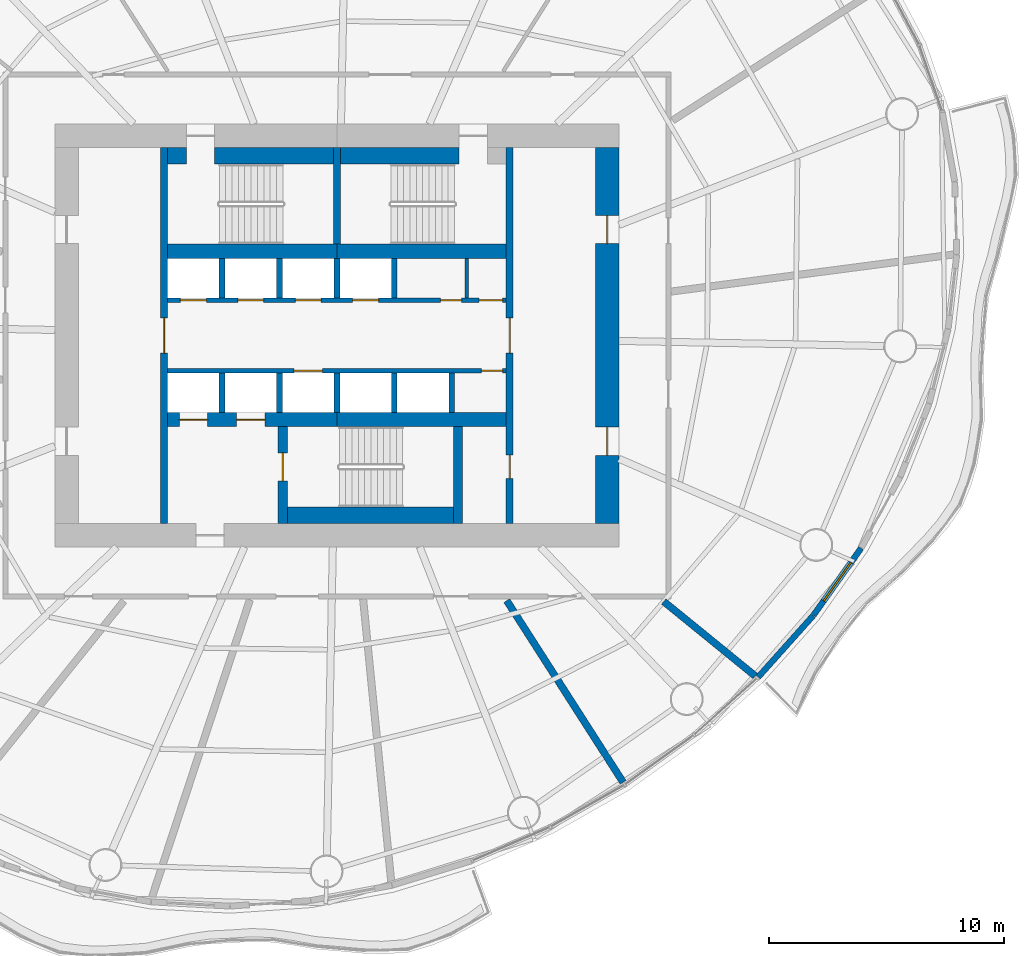
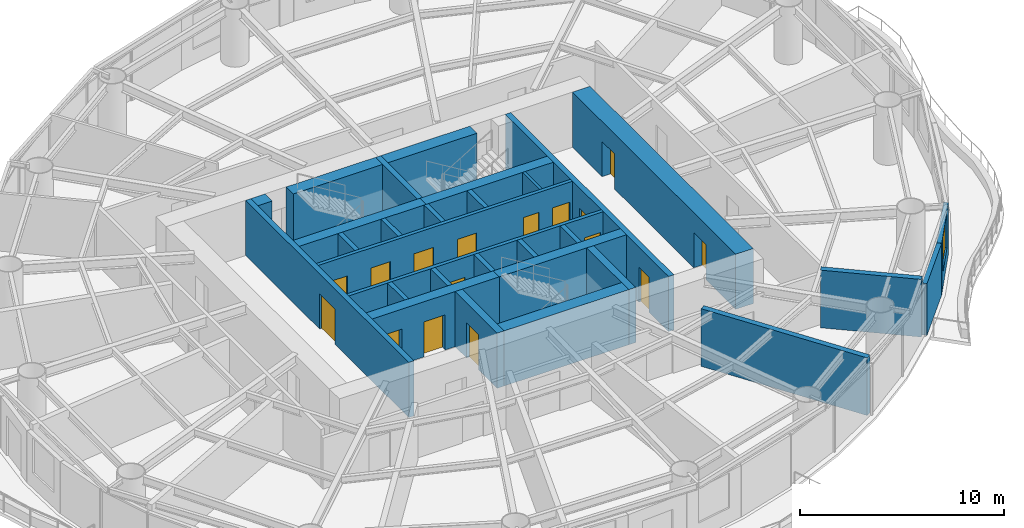
# One storey, part 9 of 14: 30 walls, 16 doors, 1 window, 17 openings.
"""IFC4 building model written with IfcOpenShell, lengths in metres."""

from ifc_helpers import new_model, si_unit, direction, frame, frame_2d, origin, place, context, subcontext, project, spatial, rectangle, extrude, material, layer, layer_set, type_object, element, fill, save


model = new_model("IFC4")

# Units and contexts
model_context = context("Model", 3, precision=1e-05, world=origin(), true_north=direction((0.0, 1.0)))
body_context = subcontext(model_context, "Body", "Model", "MODEL_VIEW")
ifc_project = project(units=[si_unit("LENGTHUNIT", "METRE"), si_unit("AREAUNIT", "SQUARE_METRE"), si_unit("VOLUMEUNIT", "CUBIC_METRE"), si_unit("PLANEANGLEUNIT", "RADIAN"), si_unit("MASSUNIT", "GRAM", prefix="KILO")], contexts=[model_context])

# Site, building, storey
site_placement = place(None, origin())
site = spatial("IfcSite", under=ifc_project, at=site_placement, CompositionType="ELEMENT")
building_placement = place(site_placement, origin())
building = spatial("IfcBuilding", under=site, at=building_placement, Name="Vermilion Reach Broadcast Tower", CompositionType="ELEMENT")
storey_placement = place(building_placement, frame((0.0, 0.0, 165.0)))
storey = spatial("IfcBuildingStorey", under=building, at=storey_placement, Name="L39", CompositionType="ELEMENT", Elevation=165.0)

# Wall, opening, door
ifc_material_1 = material(Name="Concrete C70", Category="concrete")
ifc_layer_1 = layer(ifc_material_1, 0.300048828125)
ifc_layer_set_1 = layer_set([ifc_layer_1], Name="Core inner wall 300 mm Concrete C70")
wall_type_1 = type_object("IfcWallType", Name="Core inner wall 300 mm Concrete C70", PredefinedType="SHEAR", material=ifc_layer_set_1)
wall_1_placement = place(storey_placement, frame((-13.35009765625, 8.0, 0.0), z_axis=(0.0, 0.0, 1.0), x_axis=(0.0, -1.0, 0.0)))
wall_1 = element("IfcWall", 1, at=wall_1_placement, inside=storey, type_object=wall_type_1, Name="L39 core wall ewW", PredefinedType="SHEAR", context=body_context, shape_type="SweptSolid", body=[
    extrude(rectangle(XDim=16.0, YDim=0.300048828125, at=frame_2d((8.0, 0.0))), origin(), (0.0, 0.0, 1.0), 3.300048828125),
])
opening_1_placement = place(wall_1_placement, frame((7.25, 0.0, 0.0)))
opening_1 = element("IfcOpeningElement", 2, at=opening_1_placement, cuts=wall_1, Name="Opening D04", PredefinedType="OPENING", context=body_context, shape_type="SweptSolid", body=[
    extrude(rectangle(XDim=1.5, YDim=2.10009765625, at=frame_2d((0.75, 1.050048828125))), frame((0.0, 0.159912109375, 0.0), z_axis=(0.0, -1.0, 0.0), x_axis=(1.0, 0.0, 0.0)), (0.0, 0.0, 1.0), 0.320068359375),
])
ifc_material_2 = material(Name="Painted steel fire door", Category="steel")
door_type_1 = type_object("IfcDoorType", Name="Lift lobby door 1500 x 2100", OperationType="DOUBLE_DOOR_SINGLE_SWING", PredefinedType="NOTDEFINED", material=ifc_material_2)
door_1_placement = place(opening_1_placement, origin())
door_1 = element("IfcDoor", 3, at=door_1_placement, inside=storey, type_object=door_type_1, Name="L39 band door BW", OperationType="DOUBLE_DOOR_SINGLE_SWING", OverallHeight=2.10009765625, OverallWidth=1.5, PredefinedType="NOTDEFINED", context=body_context, shape_type="SweptSolid", body=[
    extrude(rectangle(XDim=1.5, YDim=2.10009765625, at=frame_2d((0.75, 1.050048828125))), frame((0.0, 0.02490234375, 0.0), z_axis=(0.0, -1.0, 0.0), x_axis=(1.0, 0.0, 0.0)), (0.0, 0.0, 1.0), 0.050048828125),
])
fill(opening_1, door_1)

# Wall, openings, doors
wall_2_placement = place(storey_placement, frame((1.35009765625, -8.0, 0.0), z_axis=(0.0, 0.0, 1.0), x_axis=(0.0, 1.0, 0.0)))
wall_2 = element("IfcWall", 4, at=wall_2_placement, inside=storey, type_object=wall_type_1, Name="L39 core wall ewE", PredefinedType="SHEAR", context=body_context, shape_type="SweptSolid", body=[
    extrude(rectangle(XDim=16.0, YDim=0.300048828125, at=frame_2d((8.0, 0.0))), origin(), (0.0, 0.0, 1.0), 3.300048828125),
])
opening_2_placement = place(wall_2_placement, frame((1.909912109375, 0.0, 0.0)))
opening_2 = element("IfcOpeningElement", 5, at=opening_2_placement, cuts=wall_2, Name="Opening D05", PredefinedType="OPENING", context=body_context, shape_type="SweptSolid", body=[
    extrude(rectangle(XDim=1.0, YDim=2.10009765625, at=frame_2d((0.5, 1.050048828125))), frame((0.0, 0.159912109375, 0.0), z_axis=(0.0, -1.0, 0.0), x_axis=(1.0, 0.0, 0.0)), (0.0, 0.0, 1.0), 0.320068359375),
])
opening_3_placement = place(wall_2_placement, frame((7.25, 0.0, 0.0)))
opening_3 = element("IfcOpeningElement", 6, at=opening_3_placement, cuts=wall_2, Name="Opening D04", PredefinedType="OPENING", context=body_context, shape_type="SweptSolid", body=[
    extrude(rectangle(XDim=1.5, YDim=2.10009765625, at=frame_2d((0.75, 1.050048828125))), frame((0.0, 0.159912109375, 0.0), z_axis=(0.0, -1.0, 0.0), x_axis=(1.0, 0.0, 0.0)), (0.0, 0.0, 1.0), 0.320068359375),
])
door_2_placement = place(opening_3_placement, origin())
door_2 = element("IfcDoor", 7, at=door_2_placement, inside=storey, type_object=door_type_1, Name="L39 band door BE", OperationType="DOUBLE_DOOR_SINGLE_SWING", OverallHeight=2.10009765625, OverallWidth=1.5, PredefinedType="NOTDEFINED", context=body_context, shape_type="SweptSolid", body=[
    extrude(rectangle(XDim=1.5, YDim=2.10009765625, at=frame_2d((0.75, 1.050048828125))), frame((0.0, 0.02490234375, 0.0), z_axis=(0.0, -1.0, 0.0), x_axis=(1.0, 0.0, 0.0)), (0.0, 0.0, 1.0), 0.050048828125),
])
fill(opening_3, door_2)
ifc_material_3 = material(Name="Timber door", Category="wood")
door_type_2 = type_object("IfcDoorType", Name="Room door 1000 x 2100", OperationType="NOTDEFINED", PredefinedType="NOTDEFINED", material=ifc_material_3)
door_3_placement = place(opening_2_placement, origin())
door_3 = element("IfcDoor", 8, at=door_3_placement, inside=storey, type_object=door_type_2, Name="L39 door SER", OperationType="SINGLE_SWING_LEFT", OverallHeight=2.10009765625, OverallWidth=1.0, PredefinedType="NOTDEFINED", context=body_context, shape_type="SweptSolid", body=[
    extrude(rectangle(XDim=1.0, YDim=2.10009765625, at=frame_2d((0.5, 1.050048828125))), frame((0.0, 0.02490234375, 0.0), z_axis=(0.0, -1.0, 0.0), x_axis=(1.0, 0.0, 0.0)), (0.0, 0.0, 1.0), 0.050048828125),
])
fill(opening_2, door_3)

# Wall
wall_3_placement = place(storey_placement, frame((-6.0, 3.8798828125, 0.0), z_axis=(0.0, 0.0, 1.0), x_axis=(0.0, 1.0, 0.0)))
element("IfcWall", 9, at=wall_3_placement, inside=storey, type_object=wall_type_1, Name="L39 core wall wc", PredefinedType="SHEAR", context=body_context, shape_type="SweptSolid", body=[
    extrude(rectangle(XDim=4.1201171875, YDim=0.300048828125, at=frame_2d((2.06005859375, 0.0))), origin(), (0.0, 0.0, 1.0), 3.300048828125),
])

# Wall, opening, door
ifc_material_4 = material(Name="Concrete C70", Category="concrete")
ifc_layer_2 = layer(ifc_material_4, 0.39990234375)
ifc_layer_set_2 = layer_set([ifc_layer_2], Name="Core inner wall 400 mm Concrete C70")
wall_type_2 = type_object("IfcWallType", Name="Core inner wall 400 mm Concrete C70", PredefinedType="SHEAR", material=ifc_layer_set_2)
wall_4_placement = place(storey_placement, frame((-8.300048828125, -3.8798828125, 0.0), z_axis=(0.0, 0.0, 1.0), x_axis=(0.0, -1.0, 0.0)))
wall_4 = element("IfcWall", 10, at=wall_4_placement, inside=storey, type_object=wall_type_2, Name="L39 core wall wa", PredefinedType="SHEAR", context=body_context, shape_type="SweptSolid", body=[
    extrude(rectangle(XDim=4.1201171875, YDim=0.39990234375, at=frame_2d((2.06005859375, 0.0))), origin(), (0.0, 0.0, 1.0), 3.300048828125),
])
opening_4_placement = place(wall_4_placement, frame((1.110107421875, 0.0, 0.0)))
opening_4 = element("IfcOpeningElement", 11, at=opening_4_placement, cuts=wall_4, Name="Opening D01", PredefinedType="OPENING", context=body_context, shape_type="SweptSolid", body=[
    extrude(rectangle(XDim=1.199951171875, YDim=2.10009765625, at=frame_2d((0.60009765625, 1.050048828125))), frame((0.0, 0.2099609375, 0.0), z_axis=(0.0, -1.0, 0.0), x_axis=(1.0, 0.0, 0.0)), (0.0, 0.0, 1.0), 0.419921875),
])
ifc_material_5 = material(Name="Painted steel fire door", Category="steel")
door_type_3 = type_object("IfcDoorType", Name="Stair door 1200 x 2100", OperationType="DOUBLE_DOOR_SINGLE_SWING", PredefinedType="NOTDEFINED", material=ifc_material_5)
door_4_placement = place(opening_4_placement, origin())
door_4 = element("IfcDoor", 12, at=door_4_placement, inside=storey, type_object=door_type_3, Name="L39 stair door ST3", OperationType="DOUBLE_DOOR_SINGLE_SWING", OverallHeight=2.10009765625, OverallWidth=1.199951171875, PredefinedType="NOTDEFINED", context=body_context, shape_type="SweptSolid", body=[
    extrude(rectangle(XDim=1.199951171875, YDim=2.10009765625, at=frame_2d((0.60009765625, 1.050048828125))), frame((0.0, 0.02490234375, 0.0), z_axis=(0.0, -1.0, 0.0), x_axis=(1.0, 0.0, 0.0)), (0.0, 0.0, 1.0), 0.050048828125),
])
fill(opening_4, door_4)

# Walls
wall_5_placement = place(storey_placement, frame((-0.85009765625, -3.8798828125, 0.0), z_axis=(0.0, 0.0, 1.0), x_axis=(0.0, -1.0, 0.0)))
element("IfcWall", 13, at=wall_5_placement, inside=storey, type_object=wall_type_2, Name="L39 core wall wb", PredefinedType="SHEAR", context=body_context, shape_type="SweptSolid", body=[
    extrude(rectangle(XDim=4.1201171875, YDim=0.39990234375, at=frame_2d((2.06005859375, 0.0))), origin(), (0.0, 0.0, 1.0), 3.300048828125),
])
ifc_material_6 = material(Name="Concrete C70", Category="concrete")
ifc_layer_3 = layer(ifc_material_6, 0.60009765625)
ifc_layer_set_3 = layer_set([ifc_layer_3], Name="Core inner wall 600 mm Concrete C70")
wall_type_3 = type_object("IfcWallType", Name="Core inner wall 600 mm Concrete C70", PredefinedType="SHEAR", material=ifc_layer_set_3)
for number, where, z_axis, x_axis, name in (
    (14, (-13.199951171875, 3.580078125, 0.0), (0.0, 0.0, 1.0), (1.0, 0.0, 0.0), "L39 core wall winW"),
    (15, (-6.0, 3.580078125, 0.0), (0.0, 0.0, 1.0), (1.0, 0.0, 0.0), "L39 core wall winE"),
):
    element("IfcWall", number, at=place(storey_placement, frame(where, z_axis=z_axis, x_axis=x_axis)), inside=storey, type_object=wall_type_3, Name=name, PredefinedType="SHEAR", context=body_context, shape_type="SweptSolid", body=[
        extrude(rectangle(XDim=7.199951171875, YDim=0.60009765625, at=frame_2d((3.60009765625, 0.0))), origin(), (0.0, 0.0, 1.0), 3.300048828125),
    ])

# Wall, openings, doors
wall_6_placement = place(storey_placement, frame((-13.199951171875, -3.580078125, 0.0), z_axis=(0.0, 0.0, 1.0), x_axis=(1.0, 0.0, 0.0)))
wall_6 = element("IfcWall", 16, at=wall_6_placement, inside=storey, type_object=wall_type_3, Name="L39 core wall wisW", PredefinedType="SHEAR", context=body_context, shape_type="SweptSolid", body=[
    extrude(rectangle(XDim=7.199951171875, YDim=0.60009765625, at=frame_2d((3.60009765625, 0.0))), origin(), (0.0, 0.0, 1.0), 3.300048828125),
])
opening_5_placement = place(wall_6_placement, frame((0.495849609375, 0.0, 0.0)))
opening_5 = element("IfcOpeningElement", 17, at=opening_5_placement, cuts=wall_6, Name="Opening LD1", PredefinedType="OPENING", context=body_context, shape_type="SweptSolid", body=[
    extrude(rectangle(XDim=1.199951171875, YDim=2.10009765625, at=frame_2d((0.60009765625, 1.050048828125))), frame((0.0, 0.31005859375, 0.0), z_axis=(0.0, -1.0, 0.0), x_axis=(1.0, 0.0, 0.0)), (0.0, 0.0, 1.0), 0.6201171875),
])
opening_6_placement = place(wall_6_placement, frame((2.9375, 0.0, 0.0)))
opening_6 = element("IfcOpeningElement", 18, at=opening_6_placement, cuts=wall_6, Name="Opening LD1", PredefinedType="OPENING", context=body_context, shape_type="SweptSolid", body=[
    extrude(rectangle(XDim=1.199951171875, YDim=2.10009765625, at=frame_2d((0.60009765625, 1.050048828125))), frame((0.0, 0.31005859375, 0.0), z_axis=(0.0, -1.0, 0.0), x_axis=(1.0, 0.0, 0.0)), (0.0, 0.0, 1.0), 0.6201171875),
])
ifc_material_7 = material(Name="Stainless steel", Category="steel")
door_type_4 = type_object("IfcDoorType", Name="Landing door 1200 x 2100", OperationType="DOUBLE_DOOR_SLIDING", PredefinedType="NOTDEFINED", material=ifc_material_7)
door_5_placement = place(opening_5_placement, origin())
door_5 = element("IfcDoor", 19, at=door_5_placement, inside=storey, type_object=door_type_4, Name="L39 landing door FF1", OperationType="DOUBLE_DOOR_SLIDING", OverallHeight=2.10009765625, OverallWidth=1.199951171875, PredefinedType="NOTDEFINED", context=body_context, shape_type="SweptSolid", body=[
    extrude(rectangle(XDim=1.199951171875, YDim=2.10009765625, at=frame_2d((0.60009765625, 1.050048828125))), frame((0.0, 0.02490234375, 0.0), z_axis=(0.0, -1.0, 0.0), x_axis=(1.0, 0.0, 0.0)), (0.0, 0.0, 1.0), 0.050048828125),
])
fill(opening_5, door_5)
door_6_placement = place(opening_6_placement, origin())
door_6 = element("IfcDoor", 20, at=door_6_placement, inside=storey, type_object=door_type_4, Name="L39 landing door FF2", OperationType="DOUBLE_DOOR_SLIDING", OverallHeight=2.10009765625, OverallWidth=1.199951171875, PredefinedType="NOTDEFINED", context=body_context, shape_type="SweptSolid", body=[
    extrude(rectangle(XDim=1.199951171875, YDim=2.10009765625, at=frame_2d((0.60009765625, 1.050048828125))), frame((0.0, 0.02490234375, 0.0), z_axis=(0.0, -1.0, 0.0), x_axis=(1.0, 0.0, 0.0)), (0.0, 0.0, 1.0), 0.050048828125),
])
fill(opening_6, door_6)

# Wall
wall_7_placement = place(storey_placement, frame((-6.0, -3.580078125, 0.0), z_axis=(0.0, 0.0, 1.0), x_axis=(1.0, 0.0, 0.0)))
element("IfcWall", 21, at=wall_7_placement, inside=storey, type_object=wall_type_3, Name="L39 core wall wisE", PredefinedType="SHEAR", context=body_context, shape_type="SweptSolid", body=[
    extrude(rectangle(XDim=7.199951171875, YDim=0.60009765625, at=frame_2d((3.60009765625, 0.0))), origin(), (0.0, 0.0, 1.0), 3.300048828125),
])

# Wall, openings, doors
ifc_material_8 = material(Name="Concrete C70", Category="concrete")
ifc_layer_4 = layer(ifc_material_8, 1.0)
ifc_layer_set_4 = layer_set([ifc_layer_4], Name="Core outer wall 1000 mm Concrete C70")
wall_type_4 = type_object("IfcWallType", Name="Core outer wall 1000 mm Concrete C70", PredefinedType="SHEAR", material=ifc_layer_set_4)
wall_8_placement = place(storey_placement, frame((5.5, -8.0, 0.0), z_axis=(0.0, 0.0, 1.0), x_axis=(0.0, 1.0, 0.0)))
wall_8 = element("IfcWall", 22, at=wall_8_placement, inside=storey, type_object=wall_type_4, Name="L39 core wall oe", PredefinedType="SHEAR", context=body_context, shape_type="SweptSolid", body=[
    extrude(rectangle(XDim=16.0, YDim=1.0, at=frame_2d((8.0, 0.0))), origin(), (0.0, 0.0, 1.0), 3.300048828125),
])
opening_7_placement = place(wall_8_placement, frame((2.89990234375, 0.0, 0.0)))
opening_7 = element("IfcOpeningElement", 23, at=opening_7_placement, cuts=wall_8, Name="Opening D03", PredefinedType="OPENING", context=body_context, shape_type="SweptSolid", body=[
    extrude(rectangle(XDim=1.199951171875, YDim=2.10009765625, at=frame_2d((0.60009765625, 1.050048828125))), frame((0.0, 0.510009765625, 0.0), z_axis=(0.0, -1.0, 0.0), x_axis=(1.0, 0.0, 0.0)), (0.0, 0.0, 1.0), 1.02001953125),
])
opening_8_placement = place(wall_8_placement, frame((11.89990234375, 0.0, 0.0)))
opening_8 = element("IfcOpeningElement", 24, at=opening_8_placement, cuts=wall_8, Name="Opening D03", PredefinedType="OPENING", context=body_context, shape_type="SweptSolid", body=[
    extrude(rectangle(XDim=1.199951171875, YDim=2.10009765625, at=frame_2d((0.60009765625, 1.050048828125))), frame((0.0, 0.510009765625, 0.0), z_axis=(0.0, -1.0, 0.0), x_axis=(1.0, 0.0, 0.0)), (0.0, 0.0, 1.0), 1.02001953125),
])
ifc_material_9 = material(Name="Painted steel fire door", Category="steel")
door_type_5 = type_object("IfcDoorType", Name="Core lobby door 1200 x 2100", OperationType="DOUBLE_DOOR_SINGLE_SWING", PredefinedType="NOTDEFINED", material=ifc_material_9)
door_7_placement = place(opening_7_placement, origin())
door_7 = element("IfcDoor", 25, at=door_7_placement, inside=storey, type_object=door_type_5, Name="L39 slot door E0", OperationType="DOUBLE_DOOR_SINGLE_SWING", OverallHeight=2.10009765625, OverallWidth=1.199951171875, PredefinedType="NOTDEFINED", context=body_context, shape_type="SweptSolid", body=[
    extrude(rectangle(XDim=1.199951171875, YDim=2.10009765625, at=frame_2d((0.60009765625, 1.050048828125))), frame((0.0, 0.02490234375, 0.0), z_axis=(0.0, -1.0, 0.0), x_axis=(1.0, 0.0, 0.0)), (0.0, 0.0, 1.0), 0.050048828125),
])
fill(opening_7, door_7)
door_8_placement = place(opening_8_placement, origin())
door_8 = element("IfcDoor", 26, at=door_8_placement, inside=storey, type_object=door_type_5, Name="L39 slot door E1", OperationType="DOUBLE_DOOR_SINGLE_SWING", OverallHeight=2.10009765625, OverallWidth=1.199951171875, PredefinedType="NOTDEFINED", context=body_context, shape_type="SweptSolid", body=[
    extrude(rectangle(XDim=1.199951171875, YDim=2.10009765625, at=frame_2d((0.60009765625, 1.050048828125))), frame((0.0, 0.02490234375, 0.0), z_axis=(0.0, -1.0, 0.0), x_axis=(1.0, 0.0, 0.0)), (0.0, 0.0, 1.0), 0.050048828125),
])
fill(opening_8, door_8)

# Wall
ifc_material_10 = material(Name="Masonry block", Category="masonry")
ifc_layer_5 = layer(ifc_material_10, 0.14990234375)
ifc_layer_set_5 = layer_set([ifc_layer_5], Name="Core partition wall 150 mm Masonry block")
wall_type_5 = type_object("IfcWallType", Name="Core partition wall 150 mm Masonry block", PredefinedType="PARTITIONING", material=ifc_layer_set_5)
wall_9_placement = place(storey_placement, frame((-0.468017578125, 1.60009765625, 0.0), z_axis=(0.0, 0.0, 1.0), x_axis=(0.0, 1.0, 0.0)))
element("IfcWall", 27, at=wall_9_placement, inside=storey, type_object=wall_type_5, Name="L39 core wall prN5532", PredefinedType="PARTITIONING", context=body_context, shape_type="SweptSolid", body=[
    extrude(rectangle(XDim=1.679931640625, YDim=0.14990234375, at=frame_2d((0.83984375, 0.0))), origin(), (0.0, 0.0, 1.0), 3.300048828125),
])

# Wall, openings, doors
ifc_material_11 = material(Name="Concrete C50", Category="concrete")
ifc_layer_6 = layer(ifc_material_11, 0.199951171875)
ifc_layer_set_6 = layer_set([ifc_layer_6], Name="Core shaft wall 200 mm Concrete C50")
wall_type_6 = type_object("IfcWallType", Name="Core shaft wall 200 mm Concrete C50", PredefinedType="SHEAR", material=ifc_layer_set_6)
wall_10_placement = place(storey_placement, frame((-13.199951171875, 1.5, 0.0), z_axis=(0.0, 0.0, 1.0), x_axis=(1.0, 0.0, 0.0)))
wall_10 = element("IfcWall", 28, at=wall_10_placement, inside=storey, type_object=wall_type_6, Name="L39 core wall fn", PredefinedType="SHEAR", context=body_context, shape_type="SweptSolid", body=[
    extrude(rectangle(XDim=14.39990234375, YDim=0.199951171875, at=frame_2d((7.199951171875, 0.0))), origin(), (0.0, 0.0, 1.0), 3.300048828125),
])
opening_9_placement = place(wall_10_placement, frame((0.5458984375, 0.0, 0.0)))
opening_9 = element("IfcOpeningElement", 29, at=opening_9_placement, cuts=wall_10, Name="Opening LD2", PredefinedType="OPENING", context=body_context, shape_type="SweptSolid", body=[
    extrude(rectangle(XDim=1.10009765625, YDim=2.10009765625, at=frame_2d((0.550048828125, 1.050048828125))), frame((0.0, 0.10986328125, 0.0), z_axis=(0.0, -1.0, 0.0), x_axis=(1.0, 0.0, 0.0)), (0.0, 0.0, 1.0), 0.219970703125),
])
opening_10_placement = place(wall_10_placement, frame((2.987548828125, 0.0, 0.0)))
opening_10 = element("IfcOpeningElement", 30, at=opening_10_placement, cuts=wall_10, Name="Opening LD2", PredefinedType="OPENING", context=body_context, shape_type="SweptSolid", body=[
    extrude(rectangle(XDim=1.10009765625, YDim=2.10009765625, at=frame_2d((0.550048828125, 1.050048828125))), frame((0.0, 0.10986328125, 0.0), z_axis=(0.0, -1.0, 0.0), x_axis=(1.0, 0.0, 0.0)), (0.0, 0.0, 1.0), 0.219970703125),
])
opening_11_placement = place(wall_10_placement, frame((5.42919921875, 0.0, 0.0)))
opening_11 = element("IfcOpeningElement", 31, at=opening_11_placement, cuts=wall_10, Name="Opening LD2", PredefinedType="OPENING", context=body_context, shape_type="SweptSolid", body=[
    extrude(rectangle(XDim=1.10009765625, YDim=2.10009765625, at=frame_2d((0.550048828125, 1.050048828125))), frame((0.0, 0.10986328125, 0.0), z_axis=(0.0, -1.0, 0.0), x_axis=(1.0, 0.0, 0.0)), (0.0, 0.0, 1.0), 0.219970703125),
])
opening_12_placement = place(wall_10_placement, frame((7.870849609375, 0.0, 0.0)))
opening_12 = element("IfcOpeningElement", 32, at=opening_12_placement, cuts=wall_10, Name="Opening LD2", PredefinedType="OPENING", context=body_context, shape_type="SweptSolid", body=[
    extrude(rectangle(XDim=1.10009765625, YDim=2.10009765625, at=frame_2d((0.550048828125, 1.050048828125))), frame((0.0, 0.10986328125, 0.0), z_axis=(0.0, -1.0, 0.0), x_axis=(1.0, 0.0, 0.0)), (0.0, 0.0, 1.0), 0.219970703125),
])
opening_13_placement = place(wall_10_placement, frame((11.60693359375, 0.0, 0.0)))
opening_13 = element("IfcOpeningElement", 33, at=opening_13_placement, cuts=wall_10, Name="Opening D06", PredefinedType="OPENING", context=body_context, shape_type="SweptSolid", body=[
    extrude(rectangle(XDim=0.89990234375, YDim=2.10009765625, at=frame_2d((0.449951171875, 1.050048828125))), frame((0.0, 0.10986328125, 0.0), z_axis=(0.0, -1.0, 0.0), x_axis=(1.0, 0.0, 0.0)), (0.0, 0.0, 1.0), 0.219970703125),
])
opening_14_placement = place(wall_10_placement, frame((13.25, 0.0, 0.0)))
opening_14 = element("IfcOpeningElement", 34, at=opening_14_placement, cuts=wall_10, Name="Opening D07", PredefinedType="OPENING", context=body_context, shape_type="SweptSolid", body=[
    extrude(rectangle(XDim=1.0, YDim=2.10009765625, at=frame_2d((0.5, 1.050048828125))), frame((0.0, 0.10986328125, 0.0), z_axis=(0.0, -1.0, 0.0), x_axis=(1.0, 0.0, 0.0)), (0.0, 0.0, 1.0), 0.219970703125),
])
ifc_material_12 = material(Name="Timber door", Category="wood")
door_type_6 = type_object("IfcDoorType", Name="Accessible WC door 1000 x 2100", OperationType="NOTDEFINED", PredefinedType="NOTDEFINED", material=ifc_material_12)
door_9_placement = place(opening_14_placement, origin())
door_9 = element("IfcDoor", 35, at=door_9_placement, inside=storey, type_object=door_type_6, Name="L39 door Accessible WC", OperationType="SINGLE_SWING_RIGHT", OverallHeight=2.10009765625, OverallWidth=1.0, PredefinedType="NOTDEFINED", context=body_context, shape_type="SweptSolid", body=[
    extrude(rectangle(XDim=1.0, YDim=2.10009765625, at=frame_2d((0.5, 1.050048828125))), frame((0.0, 0.02490234375, 0.0), z_axis=(0.0, -1.0, 0.0), x_axis=(1.0, 0.0, 0.0)), (0.0, 0.0, 1.0), 0.050048828125),
])
fill(opening_14, door_9)
ifc_material_13 = material(Name="Stainless steel", Category="steel")
door_type_7 = type_object("IfcDoorType", Name="Landing door 1100 x 2100", OperationType="DOUBLE_DOOR_SLIDING", PredefinedType="NOTDEFINED", material=ifc_material_13)
door_10_placement = place(opening_9_placement, origin())
door_10 = element("IfcDoor", 36, at=door_10_placement, inside=storey, type_object=door_type_7, Name="L39 landing door LR1", OperationType="DOUBLE_DOOR_SLIDING", OverallHeight=2.10009765625, OverallWidth=1.10009765625, PredefinedType="NOTDEFINED", context=body_context, shape_type="SweptSolid", body=[
    extrude(rectangle(XDim=1.10009765625, YDim=2.10009765625, at=frame_2d((0.550048828125, 1.050048828125))), frame((0.0, 0.02490234375, 0.0), z_axis=(0.0, -1.0, 0.0), x_axis=(1.0, 0.0, 0.0)), (0.0, 0.0, 1.0), 0.050048828125),
])
fill(opening_9, door_10)
door_11_placement = place(opening_10_placement, origin())
door_11 = element("IfcDoor", 37, at=door_11_placement, inside=storey, type_object=door_type_7, Name="L39 landing door LR2", OperationType="DOUBLE_DOOR_SLIDING", OverallHeight=2.10009765625, OverallWidth=1.10009765625, PredefinedType="NOTDEFINED", context=body_context, shape_type="SweptSolid", body=[
    extrude(rectangle(XDim=1.10009765625, YDim=2.10009765625, at=frame_2d((0.550048828125, 1.050048828125))), frame((0.0, 0.02490234375, 0.0), z_axis=(0.0, -1.0, 0.0), x_axis=(1.0, 0.0, 0.0)), (0.0, 0.0, 1.0), 0.050048828125),
])
fill(opening_10, door_11)
door_12_placement = place(opening_11_placement, origin())
door_12 = element("IfcDoor", 38, at=door_12_placement, inside=storey, type_object=door_type_7, Name="L39 landing door LR3", OperationType="DOUBLE_DOOR_SLIDING", OverallHeight=2.10009765625, OverallWidth=1.10009765625, PredefinedType="NOTDEFINED", context=body_context, shape_type="SweptSolid", body=[
    extrude(rectangle(XDim=1.10009765625, YDim=2.10009765625, at=frame_2d((0.550048828125, 1.050048828125))), frame((0.0, 0.02490234375, 0.0), z_axis=(0.0, -1.0, 0.0), x_axis=(1.0, 0.0, 0.0)), (0.0, 0.0, 1.0), 0.050048828125),
])
fill(opening_11, door_12)
door_13_placement = place(opening_12_placement, origin())
door_13 = element("IfcDoor", 39, at=door_13_placement, inside=storey, type_object=door_type_7, Name="L39 landing door LR4", OperationType="DOUBLE_DOOR_SLIDING", OverallHeight=2.10009765625, OverallWidth=1.10009765625, PredefinedType="NOTDEFINED", context=body_context, shape_type="SweptSolid", body=[
    extrude(rectangle(XDim=1.10009765625, YDim=2.10009765625, at=frame_2d((0.550048828125, 1.050048828125))), frame((0.0, 0.02490234375, 0.0), z_axis=(0.0, -1.0, 0.0), x_axis=(1.0, 0.0, 0.0)), (0.0, 0.0, 1.0), 0.050048828125),
])
fill(opening_12, door_13)
ifc_material_14 = material(Name="Timber door", Category="wood")
door_type_8 = type_object("IfcDoorType", Name="WC door 900 x 2100", OperationType="NOTDEFINED", PredefinedType="NOTDEFINED", material=ifc_material_14)
door_14_placement = place(opening_13_placement, origin())
door_14 = element("IfcDoor", 40, at=door_14_placement, inside=storey, type_object=door_type_8, Name="L39 door Female WC", OperationType="SINGLE_SWING_RIGHT", OverallHeight=2.10009765625, OverallWidth=0.89990234375, PredefinedType="NOTDEFINED", context=body_context, shape_type="SweptSolid", body=[
    extrude(rectangle(XDim=0.89990234375, YDim=2.10009765625, at=frame_2d((0.449951171875, 1.050048828125))), frame((0.0, 0.02490234375, 0.0), z_axis=(0.0, -1.0, 0.0), x_axis=(1.0, 0.0, 0.0)), (0.0, 0.0, 1.0), 0.050048828125),
])
fill(opening_13, door_14)

wall_11_placement = place(storey_placement, frame((1.199951171875, -1.5, 0.0), z_axis=(0.0, 0.0, 1.0), x_axis=(-1.0, 0.0, 0.0)))
wall_11 = element("IfcWall", 41, at=wall_11_placement, inside=storey, type_object=wall_type_6, Name="L39 core wall fs", PredefinedType="SHEAR", context=body_context, shape_type="SweptSolid", body=[
    extrude(rectangle(XDim=14.39990234375, YDim=0.199951171875, at=frame_2d((7.199951171875, 0.0))), origin(), (0.0, 0.0, 1.0), 3.300048828125),
])
opening_15_placement = place(wall_11_placement, frame((7.82080078125, 0.0, 0.0)))
opening_15 = element("IfcOpeningElement", 42, at=opening_15_placement, cuts=wall_11, Name="Opening LD1", PredefinedType="OPENING", context=body_context, shape_type="SweptSolid", body=[
    extrude(rectangle(XDim=1.199951171875, YDim=2.10009765625, at=frame_2d((0.60009765625, 1.050048828125))), frame((0.0, 0.10986328125, 0.0), z_axis=(0.0, -1.0, 0.0), x_axis=(1.0, 0.0, 0.0)), (0.0, 0.0, 1.0), 0.219970703125),
])
opening_16_placement = place(wall_11_placement, frame((0.14990234375, 0.0, 0.0)))
opening_16 = element("IfcOpeningElement", 43, at=opening_16_placement, cuts=wall_11, Name="Opening D06", PredefinedType="OPENING", context=body_context, shape_type="SweptSolid", body=[
    extrude(rectangle(XDim=0.89990234375, YDim=2.10009765625, at=frame_2d((0.449951171875, 1.050048828125))), frame((0.0, 0.10986328125, 0.0), z_axis=(0.0, -1.0, 0.0), x_axis=(1.0, 0.0, 0.0)), (0.0, 0.0, 1.0), 0.219970703125),
])
door_15_placement = place(opening_15_placement, origin())
door_15 = element("IfcDoor", 44, at=door_15_placement, inside=storey, type_object=door_type_4, Name="L39 landing door SV1", OperationType="DOUBLE_DOOR_SLIDING", OverallHeight=2.10009765625, OverallWidth=1.199951171875, PredefinedType="NOTDEFINED", context=body_context, shape_type="SweptSolid", body=[
    extrude(rectangle(XDim=1.199951171875, YDim=2.10009765625, at=frame_2d((0.60009765625, 1.050048828125))), frame((0.0, 0.02490234375, 0.0), z_axis=(0.0, -1.0, 0.0), x_axis=(1.0, 0.0, 0.0)), (0.0, 0.0, 1.0), 0.050048828125),
])
fill(opening_15, door_15)
door_16_placement = place(opening_16_placement, origin())
door_16 = element("IfcDoor", 45, at=door_16_placement, inside=storey, type_object=door_type_8, Name="L39 door Male WC", OperationType="SINGLE_SWING_LEFT", OverallHeight=2.10009765625, OverallWidth=0.89990234375, PredefinedType="NOTDEFINED", context=body_context, shape_type="SweptSolid", body=[
    extrude(rectangle(XDim=0.89990234375, YDim=2.10009765625, at=frame_2d((0.449951171875, 1.050048828125))), frame((0.0, 0.02490234375, 0.0), z_axis=(0.0, -1.0, 0.0), x_axis=(1.0, 0.0, 0.0)), (0.0, 0.0, 1.0), 0.050048828125),
])
fill(opening_16, door_16)

# Walls
ifc_material_15 = material(Name="Concrete C50", Category="concrete")
ifc_layer_7 = layer(ifc_material_15, 0.25)
ifc_layer_set_7 = layer_set([ifc_layer_7], Name="Core shaft wall 250 mm Concrete C50")
wall_type_7 = type_object("IfcWallType", Name="Core shaft wall 250 mm Concrete C50", PredefinedType="SHEAR", material=ifc_layer_set_7)
for number, where, z_axis, x_axis, name in (
    (46, (-10.88330078125, 1.60009765625, 0.0), (0.0, 0.0, 1.0), (0.0, 1.0, 0.0), "L39 core wall psN0"),
    (47, (-8.441650390625, 1.60009765625, 0.0), (0.0, 0.0, 1.0), (0.0, 1.0, 0.0), "L39 core wall psN1"),
    (48, (-6.0, 1.60009765625, 0.0), (0.0, 0.0, 1.0), (0.0, 1.0, 0.0), "L39 core wall psN2"),
    (49, (-3.558349609375, 1.60009765625, 0.0), (0.0, 0.0, 1.0), (0.0, 1.0, 0.0), "L39 core wall psN3"),
    (50, (-10.88330078125, -1.60009765625, 0.0), (0.0, 0.0, 1.0), (0.0, -1.0, 0.0), "L39 core wall psS0"),
    (51, (-8.441650390625, -1.60009765625, 0.0), (0.0, 0.0, 1.0), (0.0, -1.0, 0.0), "L39 core wall psS1"),
    (52, (-6.0, -1.60009765625, 0.0), (0.0, 0.0, 1.0), (0.0, -1.0, 0.0), "L39 core wall psS2"),
    (53, (-3.558349609375, -1.60009765625, 0.0), (0.0, 0.0, 1.0), (0.0, -1.0, 0.0), "L39 core wall psS3"),
    (54, (-1.11669921875, -1.60009765625, 0.0), (0.0, 0.0, 1.0), (0.0, -1.0, 0.0), "L39 core wall psS4"),
):
    element("IfcWall", number, at=place(storey_placement, frame(where, z_axis=z_axis, x_axis=x_axis)), inside=storey, type_object=wall_type_7, Name=name, PredefinedType="SHEAR", context=body_context, shape_type="SweptSolid", body=[
        extrude(rectangle(XDim=1.679931640625, YDim=0.25, at=frame_2d((0.83984375, 0.0))), origin(), (0.0, 0.0, 1.0), 3.300048828125),
    ])
ifc_material_16 = material(Name="Concrete C70", Category="concrete")
ifc_layer_8 = layer(ifc_material_16, 0.699951171875)
ifc_layer_set_8 = layer_set([ifc_layer_8], Name="Core stair wall 700 mm Concrete C70")
wall_type_8 = type_object("IfcWallType", Name="Core stair wall 700 mm Concrete C70", PredefinedType="SHEAR", material=ifc_layer_set_8)
wall_12_placement = place(storey_placement, frame((-13.199951171875, 7.64990234375, 0.0), z_axis=(0.0, 0.0, 1.0), x_axis=(1.0, 0.0, 0.0)))
element("IfcWall", 55, at=wall_12_placement, inside=storey, type_object=wall_type_8, Name="L39 core wall l1a", PredefinedType="SHEAR", context=body_context, shape_type="SweptSolid", body=[
    extrude(rectangle(XDim=0.800048828125, YDim=0.699951171875, at=frame_2d((0.39990234375, 0.0))), origin(), (0.0, 0.0, 1.0), 3.300048828125),
])
for number, where, z_axis, x_axis, name in (
    (56, (-11.199951171875, 7.64990234375, 0.0), (0.0, 0.0, 1.0), (1.0, 0.0, 0.0), "L39 core wall l1b"),
    (57, (-5.85009765625, 7.64990234375, 0.0), (0.0, 0.0, 1.0), (1.0, 0.0, 0.0), "L39 core wall l2a"),
):
    element("IfcWall", number, at=place(storey_placement, frame(where, z_axis=z_axis, x_axis=x_axis)), inside=storey, type_object=wall_type_8, Name=name, PredefinedType="SHEAR", context=body_context, shape_type="SweptSolid", body=[
        extrude(rectangle(XDim=5.050048828125, YDim=0.699951171875, at=frame_2d((2.52490234375, 0.0))), origin(), (0.0, 0.0, 1.0), 3.300048828125),
    ])
wall_13_placement = place(storey_placement, frame((-8.10009765625, -7.64990234375, 0.0), z_axis=(0.0, 0.0, 1.0), x_axis=(1.0, 0.0, 0.0)))
element("IfcWall", 58, at=wall_13_placement, inside=storey, type_object=wall_type_8, Name="L39 core wall l3", PredefinedType="SHEAR", context=body_context, shape_type="SweptSolid", body=[
    extrude(rectangle(XDim=7.050048828125, YDim=0.699951171875, at=frame_2d((3.52490234375, 0.0))), origin(), (0.0, 0.0, 1.0), 3.300048828125),
])
ifc_material_17 = material(Name="Double-leaf plasterboard on isolated steel stud", Category="steel")
ifc_layer_9 = layer(ifc_material_17, 0.300048828125)
ifc_layer_set_9 = layer_set([ifc_layer_9], Name="Partition 300 acoustic double leaf")
wall_type_9 = type_object("IfcWallType", Name="Partition 300 acoustic double leaf", PredefinedType="PARTITIONING", material=ifc_layer_set_9)
wall_14_placement = place(storey_placement, frame((6.17236328125, -19.00390625, 0.0), z_axis=(0.0, 0.0, 1.0), x_axis=(-0.539372431885, 0.842067324934, 0.0)))
element("IfcWall", 59, at=wall_14_placement, inside=storey, type_object=wall_type_9, Name="Partition 39.11", PredefinedType="PARTITIONING", context=body_context, shape_type="SweptSolid", body=[
    extrude(rectangle(XDim=9.17138671875, YDim=0.300048828125, at=frame_2d((4.585693359375, 0.0))), origin(), (0.0, 0.0, 1.0), 3.449951171875),
])
wall_15_placement = place(storey_placement, frame((11.793701171875, -14.48486328125, 0.0), z_axis=(0.0, 0.0, 1.0), x_axis=(-0.775534864138, 0.63130473981, 0.0)))
element("IfcWall", 60, at=wall_15_placement, inside=storey, type_object=wall_type_9, Name="Partition 39.12", PredefinedType="PARTITIONING", context=body_context, shape_type="SweptSolid", body=[
    extrude(rectangle(XDim=5.018798828125, YDim=0.300048828125, at=frame_2d((2.50927734375, 0.0))), origin(), (0.0, 0.0, 1.0), 3.449951171875),
])
ifc_material_18 = material(Name="Terracotta rainscreen cladding", Category="masonry")
ifc_layer_10 = layer(ifc_material_18, 0.25)
ifc_layer_set_10 = layer_set([ifc_layer_10], Name="Terracotta rainscreen wall 250")
wall_type_10 = type_object("IfcWallType", Name="Terracotta rainscreen wall 250", PredefinedType="SOLIDWALL", material=ifc_layer_set_10)
wall_16_placement = place(storey_placement, frame((11.918701171875, -14.5322265625, 0.0), z_axis=(0.0, 0.0, 1.0), x_axis=(0.666731798782, 0.745297731443, 0.0)))
element("IfcWall", 61, at=wall_16_placement, inside=storey, type_object=wall_type_10, Name="External wall L39 38", PredefinedType="SOLIDWALL", context=body_context, shape_type="SweptSolid", body=[
    extrude(rectangle(XDim=3.50830078125, YDim=0.25, at=frame_2d((1.754150390625, 0.0))), origin(), (0.0, 0.0, 1.0), 3.10009765625),
])

# Wall, opening, window
wall_17_placement = place(storey_placement, frame((14.271484375, -11.900390625, 0.0), z_axis=(0.0, 0.0, 1.0), x_axis=(0.578670547214, 0.815561400378, 0.0)))
wall_17 = element("IfcWall", 62, at=wall_17_placement, inside=storey, type_object=wall_type_10, Name="External wall L39 39", PredefinedType="SOLIDWALL", context=body_context, shape_type="SweptSolid", body=[
    extrude(rectangle(XDim=3.49365234375, YDim=0.25, at=frame_2d((1.746826171875, 0.0))), origin(), (0.0, 0.0, 1.0), 3.10009765625),
])
opening_17_placement = place(wall_17_placement, frame((0.746826171875, 0.0, 0.89990234375)))
opening_17 = element("IfcOpeningElement", 63, at=opening_17_placement, cuts=wall_17, Name="Opening W03", PredefinedType="OPENING", context=body_context, shape_type="SweptSolid", body=[
    extrude(rectangle(XDim=2.0, YDim=2.10009765625, at=frame_2d((1.0, 1.050048828125))), frame((0.0, 0.135009765625, 0.0), z_axis=(0.0, -1.0, 0.0), x_axis=(1.0, 0.0, 0.0)), (0.0, 0.0, 1.0), 0.27001953125),
])
ifc_material_19 = material(Name="Low-e laminated clear glass in aluminium frame", Category="aluminium")
window_type = type_object("IfcWindowType", Name="Punched window 2000 x 2100 sill 900", PartitioningType="SINGLE_PANEL", PredefinedType="WINDOW", material=ifc_material_19)
window_placement = place(opening_17_placement, origin())
window = element("IfcWindow", 64, at=window_placement, inside=storey, type_object=window_type, Name="Window L39 39", OverallHeight=2.10009765625, OverallWidth=2.0, PartitioningType="SINGLE_PANEL", PredefinedType="WINDOW", context=body_context, shape_type="SweptSolid", body=[
    extrude(rectangle(XDim=2.0, YDim=2.10009765625, at=frame_2d((1.0, 1.050048828125))), frame((0.0, 0.030029296875, 0.0), z_axis=(0.0, -1.0, 0.0), x_axis=(1.0, 0.0, 0.0)), (0.0, 0.0, 1.0), 0.06005859375),
])
fill(opening_17, window)

save(model, "model.ifc")
